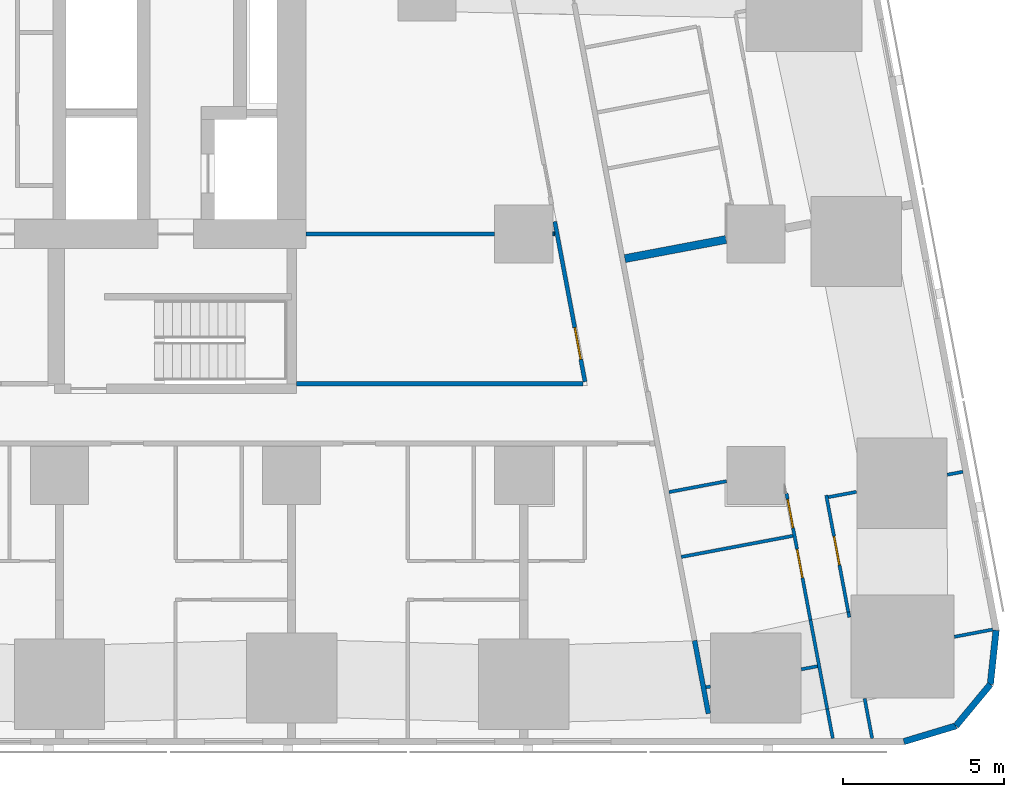
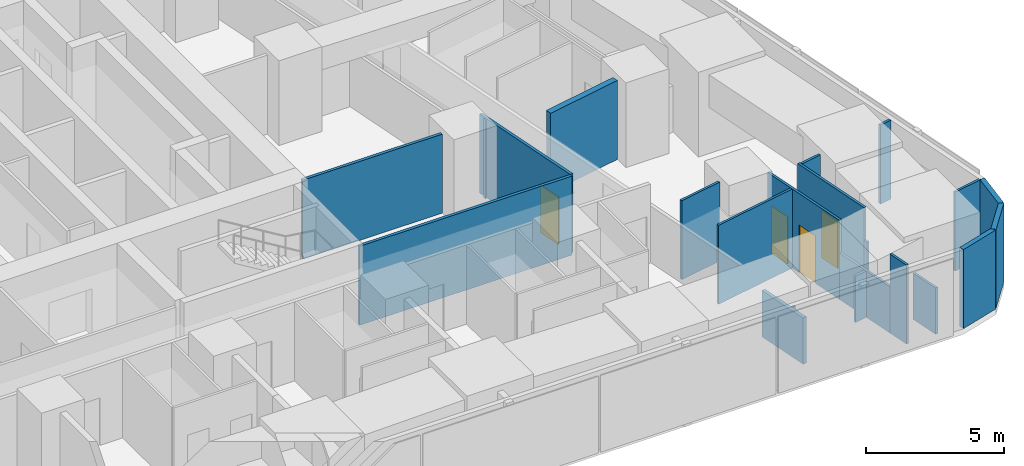
# One storey, part 6 of 15: 22 walls, 4 doors, 4 openings.
"""IFC4 building model written with IfcOpenShell, lengths in metres."""

from ifc_helpers import new_model, si_unit, direction, frame, frame_2d, origin, place, context, subcontext, project, spatial, rectangle, extrude, material, layer, layer_set, type_object, element, fill, save


model = new_model("IFC4")

# Units and contexts
model_context = context("Model", 3, precision=1e-05, world=origin(), true_north=direction((0.0, 1.0)))
body_context = subcontext(model_context, "Body", "Model", "MODEL_VIEW")
ifc_project = project(units=[si_unit("LENGTHUNIT", "METRE"), si_unit("AREAUNIT", "SQUARE_METRE"), si_unit("VOLUMEUNIT", "CUBIC_METRE"), si_unit("PLANEANGLEUNIT", "RADIAN"), si_unit("MASSUNIT", "GRAM", prefix="KILO")], contexts=[model_context])

# Site, building, storey
site_placement = place(None, origin())
site = spatial("IfcSite", under=ifc_project, at=site_placement, CompositionType="ELEMENT")
building_placement = place(site_placement, origin())
building = spatial("IfcBuilding", under=site, at=building_placement, Name="Sheger Commons Tower", CompositionType="ELEMENT")
storey_placement = place(building_placement, frame((0.0, 0.0, 46.25)))
storey = spatial("IfcBuildingStorey", under=building, at=storey_placement, Name="L11", CompositionType="ELEMENT", Elevation=46.25)

# Walls
ifc_material_1 = material(Name="Hollow concrete block masonry, skimmed both sides", Category="masonry")
ifc_layer_1 = layer(ifc_material_1, 0.14990234375)
ifc_layer_set_1 = layer_set([ifc_layer_1], Name="CORRIDOR WALL 150")
wall_type_1 = type_object("IfcWallType", Name="CORRIDOR WALL 150", PredefinedType="SOLIDWALL", material=ifc_layer_set_1)
wall_1_placement = place(storey_placement, frame((41.300048828125, 2.385009765625, 0.0), z_axis=(0.0, 0.0, 1.0), x_axis=(0.185170596553, -0.982706390624, 0.0)))
element("IfcWall", 1, at=wall_1_placement, inside=storey, type_object=wall_type_1, Name="Corridor wall L11", PredefinedType="SOLIDWALL", context=body_context, shape_type="SweptSolid", body=[
    extrude(rectangle(XDim=2.305908203125, YDim=0.14990234375, at=frame_2d((1.15283203125, 0.0))), origin(), (0.0, 0.0, 1.0), 2.050048828125),
])
ifc_material_2 = material(Name="Dense concrete block masonry, plastered both sides (separating wall between flats)", Category="masonry")
ifc_layer_2 = layer(ifc_material_2, 0.25)
ifc_layer_set_2 = layer_set([ifc_layer_2], Name="DEMISING WALL 250")
wall_type_2 = type_object("IfcWallType", Name="DEMISING WALL 250", PredefinedType="SOLIDWALL", material=ifc_layer_set_2)
wall_2_placement = place(storey_placement, frame((42.27587890625, 14.824951171875, 0.0), z_axis=(0.0, 0.0, 1.0), x_axis=(-0.982607211054, -0.185696173318, 0.0)))
element("IfcWall", 2, at=wall_2_placement, inside=storey, type_object=wall_type_2, Name="Demising wall L11", PredefinedType="SOLIDWALL", context=body_context, shape_type="SweptSolid", body=[
    extrude(rectangle(XDim=3.193603515625, YDim=0.25, at=frame_2d((1.5966796875, 0.0))), origin(), (0.0, 0.0, 1.0), 3.5),
])
ifc_material_3 = material(Name="Rendered concrete block masonry, dark grey", Category="masonry")
ifc_layer_3 = layer(ifc_material_3, 0.199951171875)
ifc_layer_set_3 = layer_set([ifc_layer_3], Name="FACADE WALL 200")
wall_type_3 = type_object("IfcWallType", Name="FACADE WALL 200", PredefinedType="SOLIDWALL", material=ifc_layer_set_3)
wall_3_placement = place(storey_placement, frame((47.791015625, -0.75, 0.0), z_axis=(0.0, 0.0, 1.0), x_axis=(0.957455232626, 0.288581838509, 0.0)))
element("IfcWall", 3, at=wall_3_placement, inside=storey, type_object=wall_type_3, Name="Facade wall L11", PredefinedType="SOLIDWALL", context=body_context, shape_type="SweptSolid", body=[
    extrude(rectangle(XDim=1.687744140625, YDim=0.199951171875, at=frame_2d((0.84375, 0.0))), origin(), (0.0, 0.0, 1.0), 3.5),
])
wall_4_placement = place(storey_placement, frame((49.406982421875, -0.262939453125, 0.0), z_axis=(0.0, 0.0, 1.0), x_axis=(0.638042593423, 0.770001070764, 0.0)))
element("IfcWall", 4, at=wall_4_placement, inside=storey, type_object=wall_type_3, Name="Facade wall L11", PredefinedType="SOLIDWALL", context=body_context, shape_type="SweptSolid", body=[
    extrude(rectangle(XDim=1.672607421875, YDim=0.199951171875, at=frame_2d((0.83642578125, 0.0))), origin(), (0.0, 0.0, 1.0), 3.5),
])
wall_5_placement = place(storey_placement, frame((50.47412109375, 1.02490234375, 0.0), z_axis=(0.0, 0.0, 1.0), x_axis=(0.106047815515, 0.994361031429, 0.0)))
element("IfcWall", 5, at=wall_5_placement, inside=storey, type_object=wall_type_3, Name="Facade wall L11", PredefinedType="SOLIDWALL", context=body_context, shape_type="SweptSolid", body=[
    extrude(rectangle(XDim=1.6875, YDim=0.199951171875, at=frame_2d((0.84375, 0.0))), origin(), (0.0, 0.0, 1.0), 3.5),
])

# Wall, opening, door
ifc_material_4 = material(Name="Gypsum board on steel studs", Category="steel")
ifc_layer_4 = layer(ifc_material_4, 0.10009765625)
ifc_layer_set_4 = layer_set([ifc_layer_4], Name="PARTITION 100")
wall_type_4 = type_object("IfcWallType", Name="PARTITION 100", PredefinedType="PARTITIONING", material=ifc_layer_set_4)
wall_6_placement = place(storey_placement, frame((45.383056640625, 6.89404296875, 0.0), z_axis=(0.0, 0.0, 1.0), x_axis=(0.185791461635, -0.982589198385, 0.0)))
wall_6 = element("IfcWall", 6, at=wall_6_placement, inside=storey, type_object=wall_type_4, Name="Partition L11", PredefinedType="PARTITIONING", context=body_context, shape_type="SweptSolid", body=[
    extrude(rectangle(XDim=3.687255859375, YDim=0.10009765625, at=frame_2d((1.84375, 0.0))), origin(), (0.0, 0.0, 1.0), 3.5),
])
opening_1_placement = place(wall_6_placement, frame((1.300048828125, 0.0, 0.0)))
opening_1 = element("IfcOpeningElement", 7, at=opening_1_placement, cuts=wall_6, Name="Opening D2", PredefinedType="OPENING", context=body_context, shape_type="SweptSolid", body=[
    extrude(rectangle(XDim=0.89990234375, YDim=2.10009765625, at=frame_2d((0.449951171875, 1.050048828125))), frame((0.0, 0.06005859375, 0.0), z_axis=(0.0, -1.0, 0.0), x_axis=(1.0, 0.0, 0.0)), (0.0, 0.0, 1.0), 0.1201171875),
])
ifc_material_5 = material(Name="Timber door set", Category="wood")
door_type_1 = type_object("IfcDoorType", Name="INTERNAL DOOR 900x2100", OperationType="NOTDEFINED", PredefinedType="DOOR", material=ifc_material_5)
door_1_placement = place(opening_1_placement, origin())
door_1 = element("IfcDoor", 8, at=door_1_placement, inside=storey, type_object=door_type_1, Name="Main bedroom door", OperationType="SINGLE_SWING_LEFT", OverallHeight=2.10009765625, OverallWidth=0.89990234375, PredefinedType="DOOR", context=body_context, shape_type="SweptSolid", body=[
    extrude(rectangle(XDim=0.89990234375, YDim=2.10009765625, at=frame_2d((0.449951171875, 1.050048828125))), frame((0.0, 0.02490234375, 0.0), z_axis=(0.0, -1.0, 0.0), x_axis=(1.0, 0.0, 0.0)), (0.0, 0.0, 1.0), 0.050048828125),
])
fill(opening_1, door_1)

# Walls
wall_7_placement = place(storey_placement, frame((46.068115234375, 3.27099609375, 0.0), z_axis=(0.0, 0.0, 1.0), x_axis=(0.183590240121, -0.98300286049, 0.0)))
element("IfcWall", 9, at=wall_7_placement, inside=storey, type_object=wall_type_4, Name="Partition L11", PredefinedType="PARTITIONING", context=body_context, shape_type="SweptSolid", body=[
    extrude(rectangle(XDim=0.1689453125, YDim=0.10009765625, at=frame_2d((0.08447265625, 0.0))), origin(), (0.0, 0.0, 1.0), 2.050048828125),
])
wall_8_placement = place(storey_placement, frame((46.573974609375, 0.5869140625, 0.0), z_axis=(0.0, 0.0, 1.0), x_axis=(0.185997942803, -0.98255013372, 0.0)))
element("IfcWall", 10, at=wall_8_placement, inside=storey, type_object=wall_type_4, Name="Partition L11", PredefinedType="PARTITIONING", context=body_context, shape_type="SweptSolid", body=[
    extrude(rectangle(XDim=1.2587890625, YDim=0.10009765625, at=frame_2d((0.62939453125, 0.0))), origin(), (0.0, 0.0, 1.0), 2.050048828125),
])

# Wall, openings, doors
wall_9_placement = place(storey_placement, frame((44.14892578125, 6.9599609375, 0.0), z_axis=(0.0, 0.0, 1.0), x_axis=(0.185824941804, -0.982582867245, 0.0)))
wall_9 = element("IfcWall", 11, at=wall_9_placement, inside=storey, type_object=wall_type_4, Name="Partition L11", PredefinedType="PARTITIONING", context=body_context, shape_type="SweptSolid", body=[
    extrude(rectangle(XDim=4.009765625, YDim=0.10009765625, at=frame_2d((2.0048828125, 0.0))), origin(), (0.0, 0.0, 1.0), 3.5),
])
opening_2_placement = place(wall_9_placement, frame((0.199951171875, 0.0, 0.0)))
opening_2 = element("IfcOpeningElement", 12, at=opening_2_placement, cuts=wall_9, Name="Opening D2", PredefinedType="OPENING", context=body_context, shape_type="SweptSolid", body=[
    extrude(rectangle(XDim=0.89990234375, YDim=2.10009765625, at=frame_2d((0.449951171875, 1.050048828125))), frame((0.0, 0.06005859375, 0.0), z_axis=(0.0, -1.0, 0.0), x_axis=(1.0, 0.0, 0.0)), (0.0, 0.0, 1.0), 0.1201171875),
])
opening_3_placement = place(wall_9_placement, frame((1.77587890625, 0.0, 0.0)))
opening_3 = element("IfcOpeningElement", 13, at=opening_3_placement, cuts=wall_9, Name="Opening D2", PredefinedType="OPENING", context=body_context, shape_type="SweptSolid", body=[
    extrude(rectangle(XDim=0.89990234375, YDim=2.10009765625, at=frame_2d((0.449951171875, 1.050048828125))), frame((0.0, 0.06005859375, 0.0), z_axis=(0.0, -1.0, 0.0), x_axis=(1.0, 0.0, 0.0)), (0.0, 0.0, 1.0), 0.1201171875),
])
door_2_placement = place(opening_2_placement, origin())
door_2 = element("IfcDoor", 14, at=door_2_placement, inside=storey, type_object=door_type_1, Name="Bathroom door", OperationType="SINGLE_SWING_LEFT", OverallHeight=2.10009765625, OverallWidth=0.89990234375, PredefinedType="DOOR", context=body_context, shape_type="SweptSolid", body=[
    extrude(rectangle(XDim=0.89990234375, YDim=2.10009765625, at=frame_2d((0.449951171875, 1.050048828125))), frame((0.0, 0.02490234375, 0.0), z_axis=(0.0, -1.0, 0.0), x_axis=(1.0, 0.0, 0.0)), (0.0, 0.0, 1.0), 0.050048828125),
])
fill(opening_2, door_2)
door_3_placement = place(opening_3_placement, origin())
door_3 = element("IfcDoor", 15, at=door_3_placement, inside=storey, type_object=door_type_1, Name="Store door", OperationType="SINGLE_SWING_RIGHT", OverallHeight=2.10009765625, OverallWidth=0.89990234375, PredefinedType="DOOR", context=body_context, shape_type="SweptSolid", body=[
    extrude(rectangle(XDim=0.89990234375, YDim=2.10009765625, at=frame_2d((0.449951171875, 1.050048828125))), frame((0.0, 0.02490234375, 0.0), z_axis=(0.0, -1.0, 0.0), x_axis=(1.0, 0.0, 0.0)), (0.0, 0.0, 1.0), 0.050048828125),
])
fill(opening_3, door_3)

# Walls
wall_10_placement = place(storey_placement, frame((44.89404296875, 3.02001953125, 0.0), z_axis=(0.0, 0.0, 1.0), x_axis=(0.185471317237, -0.982649678412, 0.0)))
element("IfcWall", 16, at=wall_10_placement, inside=storey, type_object=wall_type_4, Name="Partition L11", PredefinedType="PARTITIONING", context=body_context, shape_type="SweptSolid", body=[
    extrude(rectangle(XDim=2.8037109375, YDim=0.10009765625, at=frame_2d((1.40185546875, 0.0))), origin(), (0.0, 0.0, 1.0), 2.050048828125),
])
wall_11_placement = place(storey_placement, frame((45.4140625, 0.264892578125, 0.0), z_axis=(0.0, 0.0, 1.0), x_axis=(0.185665855771, -0.982612940074, 0.0)))
element("IfcWall", 17, at=wall_11_placement, inside=storey, type_object=wall_type_4, Name="Partition L11", PredefinedType="PARTITIONING", context=body_context, shape_type="SweptSolid", body=[
    extrude(rectangle(XDim=0.930908203125, YDim=0.10009765625, at=frame_2d((0.46533203125, 0.0))), origin(), (0.0, 0.0, 1.0), 3.5),
])
wall_12_placement = place(storey_placement, frame((49.6220703125, 7.6201171875, 0.0), z_axis=(0.0, 0.0, 1.0), x_axis=(-0.982629142467, -0.185580086147, 0.0)))
element("IfcWall", 18, at=wall_12_placement, inside=storey, type_object=wall_type_4, Name="Partition L11", PredefinedType="PARTITIONING", context=body_context, shape_type="SweptSolid", body=[
    extrude(rectangle(XDim=0.49072265625, YDim=0.10009765625, at=frame_2d((0.245361328125, 0.0))), origin(), (0.0, 0.0, 1.0), 3.5),
])
wall_13_placement = place(storey_placement, frame((46.320068359375, 6.9970703125, 0.0), z_axis=(0.0, 0.0, 1.0), x_axis=(-0.982635224332, -0.185547880349, 0.0)))
element("IfcWall", 19, at=wall_13_placement, inside=storey, type_object=wall_type_4, Name="Partition L11", PredefinedType="PARTITIONING", context=body_context, shape_type="SweptSolid", body=[
    extrude(rectangle(XDim=0.889404296875, YDim=0.10009765625, at=frame_2d((0.44482421875, 0.0))), origin(), (0.0, 0.0, 1.0), 3.5),
])
wall_14_placement = place(storey_placement, frame((50.547119140625, 2.72607421875, 0.0), z_axis=(0.0, 0.0, 1.0), x_axis=(-0.982553313503, -0.185981144539, 0.0)))
element("IfcWall", 20, at=wall_14_placement, inside=storey, type_object=wall_type_4, Name="Partition L11", PredefinedType="PARTITIONING", context=body_context, shape_type="SweptSolid", body=[
    extrude(rectangle(XDim=1.210205078125, YDim=0.10009765625, at=frame_2d((0.60498046875, 0.0))), origin(), (0.0, 0.0, 1.0), 3.5),
])
wall_15_placement = place(storey_placement, frame((42.2900390625, 7.327880859375, 0.0), z_axis=(0.0, 0.0, 1.0), x_axis=(-0.98262927905, -0.185579362952, 0.0)))
element("IfcWall", 21, at=wall_15_placement, inside=storey, type_object=wall_type_4, Name="Partition L11", PredefinedType="PARTITIONING", context=body_context, shape_type="SweptSolid", body=[
    extrude(rectangle(XDim=1.8154296875, YDim=0.10009765625, at=frame_2d((0.90771484375, 0.0))), origin(), (0.0, 0.0, 1.0), 3.5),
])
wall_16_placement = place(storey_placement, frame((45.114013671875, 1.5869140625, 0.0), z_axis=(0.0, 0.0, 1.0), x_axis=(-0.982699277433, -0.185208342501, 0.0)))
element("IfcWall", 22, at=wall_16_placement, inside=storey, type_object=wall_type_4, Name="Partition L11", PredefinedType="PARTITIONING", context=body_context, shape_type="SweptSolid", body=[
    extrude(rectangle(XDim=0.5126953125, YDim=0.10009765625, at=frame_2d((0.25634765625, 0.0))), origin(), (0.0, 0.0, 1.0), 2.050048828125),
])
wall_17_placement = place(storey_placement, frame((41.7900390625, 0.958984375, 0.0), z_axis=(0.0, 0.0, 1.0), x_axis=(-0.983372768072, -0.181598455428, 0.0)))
element("IfcWall", 23, at=wall_17_placement, inside=storey, type_object=wall_type_4, Name="Partition L11", PredefinedType="PARTITIONING", context=body_context, shape_type="SweptSolid", body=[
    extrude(rectangle(XDim=0.142578125, YDim=0.10009765625, at=frame_2d((0.0712890625, 0.0))), origin(), (0.0, 0.0, 1.0), 2.050048828125),
])
wall_18_placement = place(storey_placement, frame((44.34912109375, 5.631103515625, 0.0), z_axis=(0.0, 0.0, 1.0), x_axis=(-0.982629014545, -0.18558076348, 0.0)))
element("IfcWall", 24, at=wall_18_placement, inside=storey, type_object=wall_type_4, Name="Partition L11", PredefinedType="PARTITIONING", context=body_context, shape_type="SweptSolid", body=[
    extrude(rectangle(XDim=3.5244140625, YDim=0.10009765625, at=frame_2d((1.76220703125, 0.0))), origin(), (0.0, 0.0, 1.0), 3.5),
])
ifc_material_6 = material(Name="Gypsum board on steel studs, two layers each side, fire rated", Category="steel")
ifc_layer_5 = layer(ifc_material_6, 0.125)
ifc_layer_set_5 = layer_set([ifc_layer_5], Name="SERVICE WALL 125")
wall_type_5 = type_object("IfcWallType", Name="SERVICE WALL 125", PredefinedType="PARTITIONING", material=ifc_layer_set_5)
wall_19_placement = place(storey_placement, frame((28.949951171875, 10.35009765625, 0.0), z_axis=(0.0, 0.0, 1.0), x_axis=(1.0, 0.0, 0.0)))
element("IfcWall", 25, at=wall_19_placement, inside=storey, type_object=wall_type_5, Name="Service room wall L11", PredefinedType="PARTITIONING", context=body_context, shape_type="SweptSolid", body=[
    extrude(rectangle(XDim=8.885986328125, YDim=0.125, at=frame_2d((4.44287109375, 0.0))), origin(), (0.0, 0.0, 1.0), 3.5),
])

# Wall, opening, door
wall_20_placement = place(storey_placement, frame((37.89990234375, 10.4130859375, 0.0), z_axis=(0.0, 0.0, 1.0), x_axis=(-0.185527510388, 0.982639070508, 0.0)))
wall_20 = element("IfcWall", 26, at=wall_20_placement, inside=storey, type_object=wall_type_5, Name="Service room wall L11", PredefinedType="PARTITIONING", context=body_context, shape_type="SweptSolid", body=[
    extrude(rectangle(XDim=5.055908203125, YDim=0.125, at=frame_2d((2.52783203125, 0.0))), origin(), (0.0, 0.0, 1.0), 3.5),
])
opening_4_placement = place(wall_20_placement, frame((0.7080078125, 0.0, 0.0)))
opening_4 = element("IfcOpeningElement", 27, at=opening_4_placement, cuts=wall_20, Name="Opening D4", PredefinedType="OPENING", context=body_context, shape_type="SweptSolid", body=[
    extrude(rectangle(XDim=1.0, YDim=2.10009765625, at=frame_2d((0.5, 1.050048828125))), frame((0.0, 0.072509765625, 0.0), z_axis=(0.0, -1.0, 0.0), x_axis=(1.0, 0.0, 0.0)), (0.0, 0.0, 1.0), 0.14501953125),
])
ifc_material_7 = material(Name="Steel door set, fire rated", Category="steel")
door_type_2 = type_object("IfcDoorType", Name="SERVICE DOOR 1000x2100", OperationType="NOTDEFINED", PredefinedType="DOOR", material=ifc_material_7)
door_4_placement = place(opening_4_placement, origin())
door_4 = element("IfcDoor", 28, at=door_4_placement, inside=storey, type_object=door_type_2, Name="Residents' study room door", OperationType="SINGLE_SWING_LEFT", OverallHeight=2.10009765625, OverallWidth=1.0, PredefinedType="DOOR", context=body_context, shape_type="SweptSolid", body=[
    extrude(rectangle(XDim=1.0, YDim=2.10009765625, at=frame_2d((0.5, 1.050048828125))), frame((0.0, 0.02490234375, 0.0), z_axis=(0.0, -1.0, 0.0), x_axis=(1.0, 0.0, 0.0)), (0.0, 0.0, 1.0), 0.050048828125),
])
fill(opening_4, door_4)

# Walls
wall_21_placement = place(storey_placement, frame((29.25, 15.0, 0.0), z_axis=(0.0, 0.0, 1.0), x_axis=(1.0, 0.0, 0.0)))
element("IfcWall", 29, at=wall_21_placement, inside=storey, type_object=wall_type_5, Name="Service room wall L11", PredefinedType="PARTITIONING", context=body_context, shape_type="SweptSolid", body=[
    extrude(rectangle(XDim=5.84912109375, YDim=0.125, at=frame_2d((2.924560546875, 0.0))), origin(), (0.0, 0.0, 1.0), 3.5),
])
wall_22_placement = place(storey_placement, frame((36.90087890625, 15.0, 0.0), z_axis=(0.0, 0.0, 1.0), x_axis=(1.0, 0.0, 0.0)))
element("IfcWall", 30, at=wall_22_placement, inside=storey, type_object=wall_type_5, Name="Service room wall L11", PredefinedType="PARTITIONING", context=body_context, shape_type="SweptSolid", body=[
    extrude(rectangle(XDim=0.05712890625, YDim=0.125, at=frame_2d((0.028564453125, 0.0))), origin(), (0.0, 0.0, 1.0), 3.5),
])

save(model, "model.ifc")
